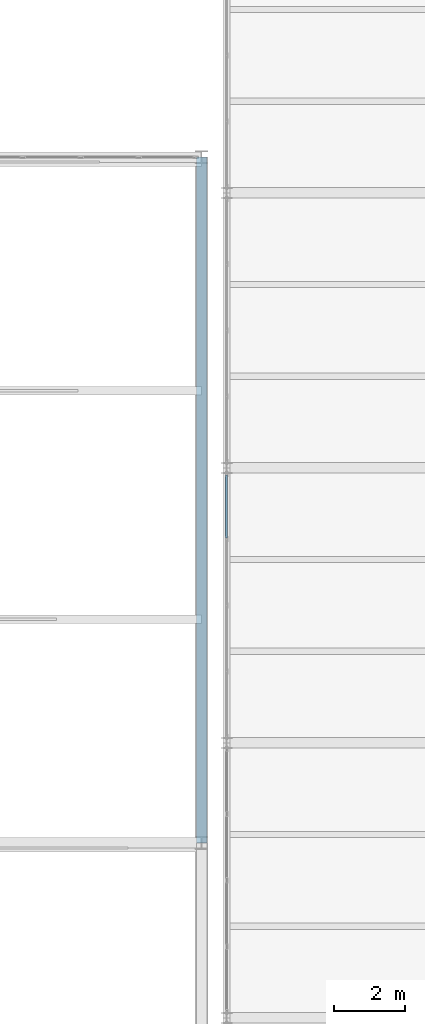
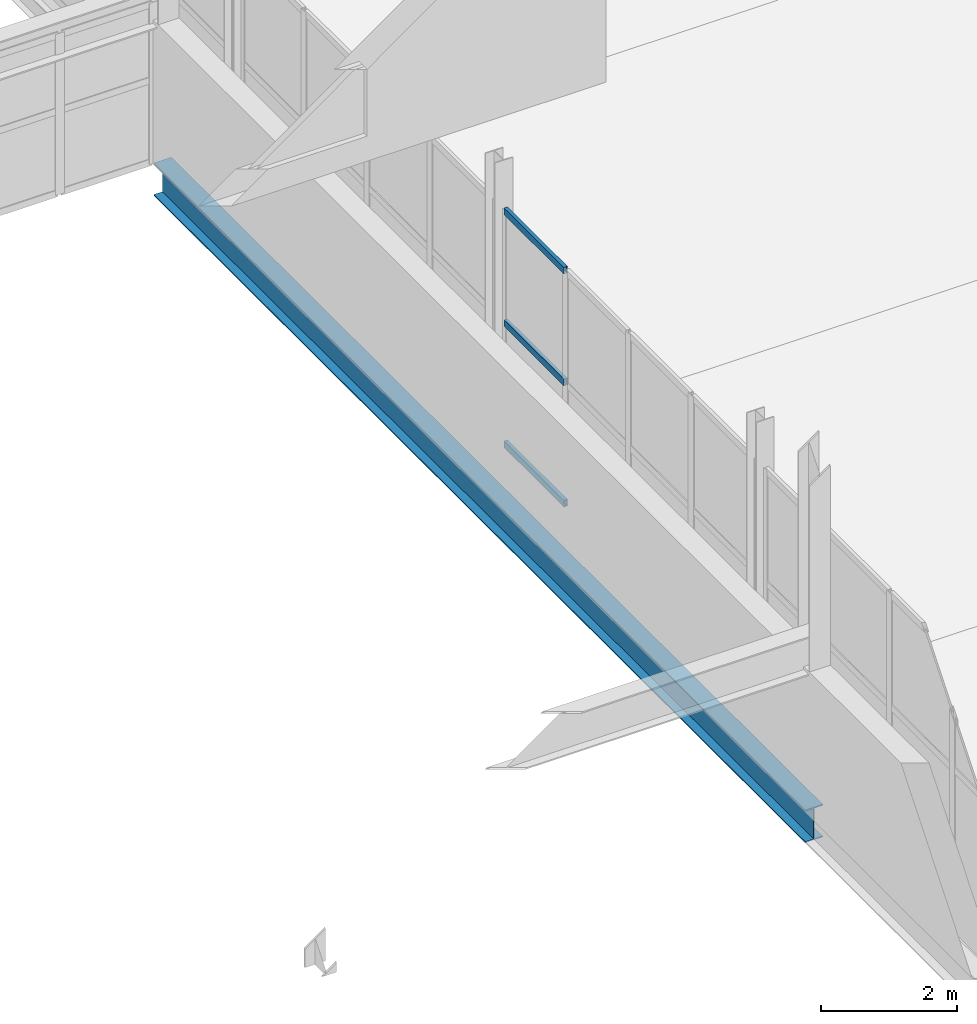
# One storey, part 125 of 218: 3 members, 1 beam, 1 element without a shape of its own.
"""IFC4 building model written with IfcOpenShell, lengths in metres."""

from ifc_helpers import new_model, si_unit, direction, frame, origin, origin_2d, place, context, subcontext, project, spatial, hollow_rectangle, i_section, extrude, material, material_profile, profile_set, type_object, element, aggregate, save


model = new_model("IFC4")

# Units and contexts
model_context = context("Model", 3, precision=1e-05, world=origin(), true_north=direction((0.0, 1.0)))
body_context = subcontext(model_context, "Body", "Model", "MODEL_VIEW")
ifc_project = project(units=[si_unit("LENGTHUNIT", "METRE"), si_unit("AREAUNIT", "SQUARE_METRE"), si_unit("VOLUMEUNIT", "CUBIC_METRE"), si_unit("PLANEANGLEUNIT", "RADIAN"), si_unit("MASSUNIT", "GRAM", prefix="KILO")], contexts=[model_context])

# Site, building, storey
site_placement = place(None, origin())
site = spatial("IfcSite", under=ifc_project, at=site_placement, CompositionType="ELEMENT")
building_placement = place(site_placement, origin())
building = spatial("IfcBuilding", under=site, at=building_placement, Name="Kazenagashi Tramway Depot", CompositionType="ELEMENT")
storey_placement = place(building_placement, frame((0.0, 0.0, 6.0)))
storey = spatial("IfcBuildingStorey", under=building, at=storey_placement, Name="L02", CompositionType="ELEMENT", Elevation=6.0)

# Beam
ifc_material_1 = material(Name="Steel SN490B", Category="steel")
ifc_material_profile_1 = material_profile(ifc_material_1, i_section(OverallWidth=0.3, OverallDepth=0.588, WebThickness=0.012, FlangeThickness=0.02, at=origin_2d()), Name="H-588x300x12x20")
ifc_profile_set_1 = profile_set([ifc_material_profile_1], Name="Steel SN490B")
beam_type = type_object("IfcBeamType", Name="SP-01", PredefinedType="SPANDREL", material=ifc_profile_set_1)
beam_placement = place(storey_placement, frame((145.6, 35.7, -0.314), z_axis=(0.0, 1.0, 0.0), x_axis=(-1.0, 0.0, 0.0)))
element("IfcBeam", 1, at=beam_placement, inside=storey, type_object=beam_type, Name="Beam SP-01 BM-2357", PredefinedType="SPANDREL", context=body_context, shape_type="SweptSolid", body=[
    extrude(i_section(OverallWidth=0.3, OverallDepth=0.588, WebThickness=0.012, FlangeThickness=0.02, at=origin_2d()), origin(), (0.0, 0.0, 1.0), 19.2),
])

# Curtain wall, members
ifc_material_2 = material(Name="Anodised Aluminium and Low-E Glazing", Category="aluminium")
curtain_wall_type = type_object("IfcCurtainWallType", Name="CW-31", PredefinedType="USERDEFINED", material=ifc_material_2)
curtain_wall_placement = place(storey_placement, origin())
curtain_wall = element("IfcCurtainWall", 2, at=curtain_wall_placement, inside=storey, type_object=curtain_wall_type, Name="Industrial Glazed Screen CW-31 CW-0167", ObjectType="GLAZED SCREEN", PredefinedType="USERDEFINED")
ifc_material_3 = material(Name="Anodised Aluminium", Category="aluminium")
ifc_material_profile_2 = material_profile(ifc_material_3, hollow_rectangle(XDim=0.06, YDim=0.12, WallThickness=0.004, at=origin_2d()), Name="RHS-120x60x4")
ifc_profile_set_2 = profile_set([ifc_material_profile_2], Name="Anodised Aluminium")
member_type = type_object("IfcMemberType", Name="TR-01", PredefinedType="USERDEFINED", material=ifc_profile_set_2)
member_1_placement = place(storey_placement, frame((146.3, 44.235, 0.03), z_axis=(0.0, 1.0, 0.0), x_axis=(-1.0, 0.0, 0.0)))
member_1 = element("IfcMember", 3, at=member_1_placement, type_object=member_type, Name="CW-31 transom 4.1", ObjectType="TRANSOM", PredefinedType="USERDEFINED", context=body_context, shape_type="SweptSolid", body=[
    extrude(hollow_rectangle(XDim=0.06, YDim=0.12, WallThickness=0.004, at=origin_2d()), origin(), (0.0, 0.0, 1.0), 1.765),
])
member_2_placement = place(storey_placement, frame((146.3, 44.235, 2.21), z_axis=(0.0, 1.0, 0.0), x_axis=(-1.0, 0.0, 0.0)))
member_2 = element("IfcMember", 4, at=member_2_placement, type_object=member_type, Name="CW-31 transom 4.2", ObjectType="TRANSOM", PredefinedType="USERDEFINED", context=body_context, shape_type="SweptSolid", body=[
    extrude(hollow_rectangle(XDim=0.06, YDim=0.12, WallThickness=0.004, at=origin_2d()), origin(), (0.0, 0.0, 1.0), 1.765),
])
member_3_placement = place(storey_placement, frame((146.3, 44.235, 4.22), z_axis=(0.0, 1.0, 0.0), x_axis=(-1.0, 0.0, 0.0)))
member_3 = element("IfcMember", 5, at=member_3_placement, type_object=member_type, Name="CW-31 transom 4.3", ObjectType="TRANSOM", PredefinedType="USERDEFINED", context=body_context, shape_type="SweptSolid", body=[
    extrude(hollow_rectangle(XDim=0.06, YDim=0.12, WallThickness=0.004, at=origin_2d()), origin(), (0.0, 0.0, 1.0), 1.765),
])
aggregate(curtain_wall, [member_1, member_2, member_3])

save(model, "model.ifc")
